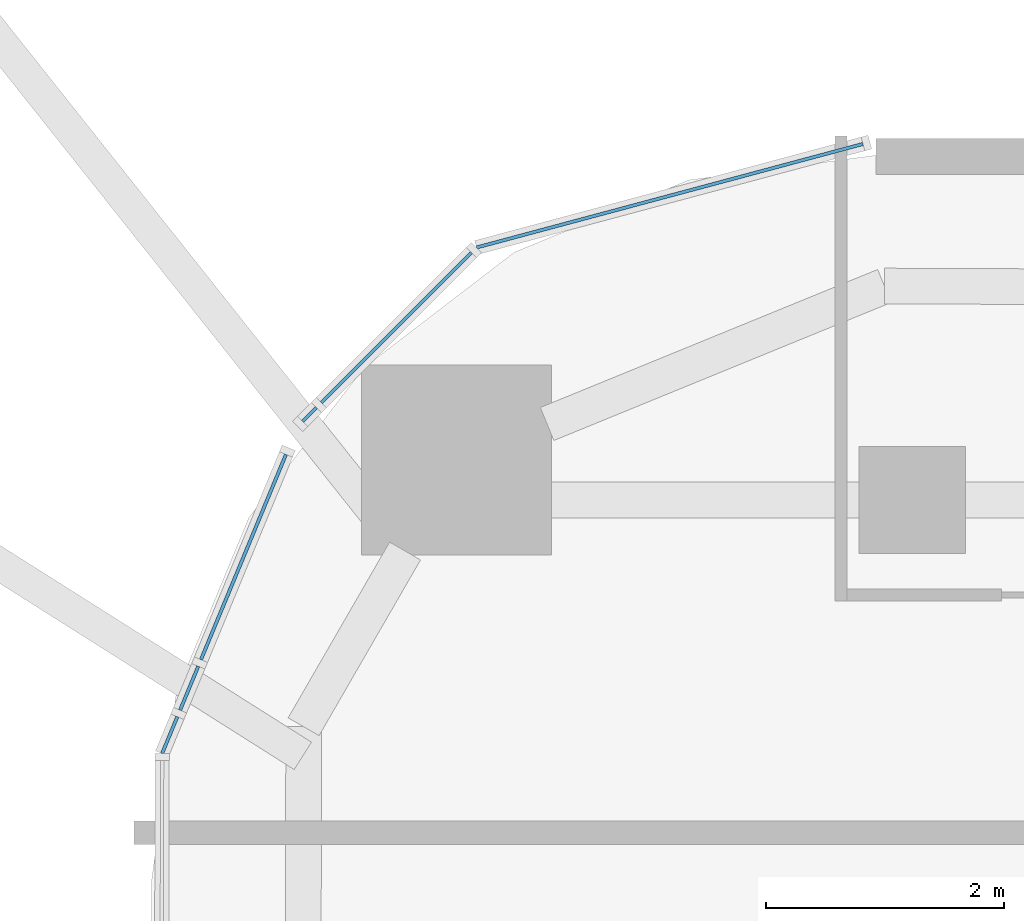
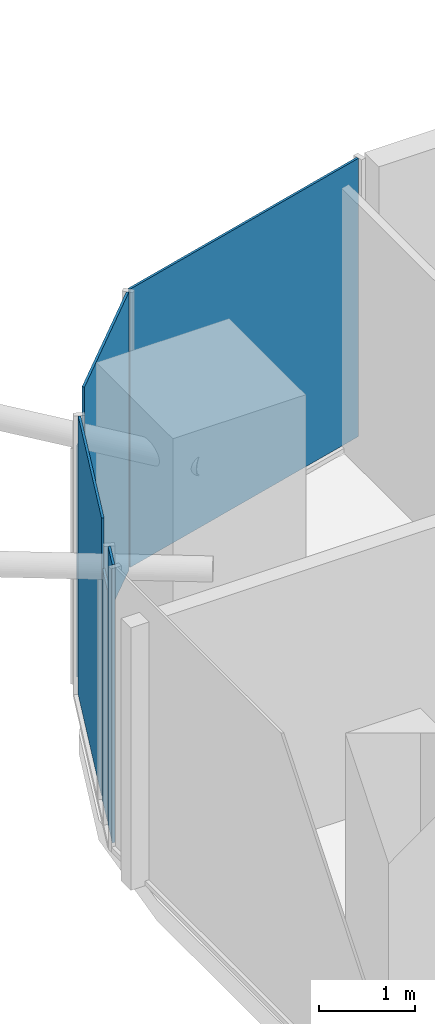
# One storey, part 25 of 36: 6 plates, 6 elements without a shape of their own.
"""IFC4 building model written with IfcOpenShell, lengths in metres."""

from ifc_helpers import new_model, si_unit, direction, frame, origin, origin_2d, place, context, subcontext, project, spatial, rectangle, extrude, material, layer, layer_set, type_object, element, aggregate, save


model = new_model("IFC4")

# Units and contexts
model_context = context("Model", 3, precision=1e-05, world=origin(), true_north=direction((0.0, 1.0)))
body_context = subcontext(model_context, "Body", "Model", "MODEL_VIEW")
ifc_project = project(units=[si_unit("LENGTHUNIT", "METRE"), si_unit("AREAUNIT", "SQUARE_METRE"), si_unit("VOLUMEUNIT", "CUBIC_METRE"), si_unit("PLANEANGLEUNIT", "RADIAN"), si_unit("MASSUNIT", "GRAM", prefix="KILO")], contexts=[model_context])

# Site, building, storey
site_placement = place(None, origin())
site = spatial("IfcSite", under=ifc_project, at=site_placement, CompositionType="ELEMENT")
building_placement = place(site_placement, origin())
building = spatial("IfcBuilding", under=site, at=building_placement, Name="Marenta Gate Hotel Tower", CompositionType="ELEMENT")
storey_placement = place(building_placement, frame((0.0, 0.0, 115.699951171875)))
storey = spatial("IfcBuildingStorey", under=building, at=storey_placement, Name="L25", CompositionType="ELEMENT", Elevation=115.699951171875)

# Curtain wall, plate
ifc_material_1 = material(Name="Tinted insulated glass in bronze anodised frame", Category="glass")
ifc_layer_1 = layer(ifc_material_1, 0.1201171875)
ifc_layer_set_1 = layer_set([ifc_layer_1], Name="Tinted insulated glass in bronze anodised frame")
curtain_wall_type = type_object("IfcCurtainWallType", Name="Tower unitised curtain wall CW1", PredefinedType="NOTDEFINED", material=ifc_layer_set_1)
curtain_wall_1_placement = place(storey_placement, origin())
curtain_wall_1 = element("IfcCurtainWall", 1, at=curtain_wall_1_placement, inside=storey, type_object=curtain_wall_type, Name="CW1 run G00", PredefinedType="NOTDEFINED")
ifc_material_2 = material(Name="Tinted insulated glass", Category="glass")
ifc_layer_2 = layer(ifc_material_2, 0.028076171875)
ifc_layer_set_2 = layer_set([ifc_layer_2], Name="Tinted insulated glass")
plate_type = type_object("IfcPlateType", Name="Glass panel CW1 28 mm tinted insulated unit", PredefinedType="CURTAIN_PANEL", material=ifc_layer_set_2)
plate_1_placement = place(storey_placement, frame((-23.04052734375, 27.759765625, 0.06005859375), z_axis=(0.0, 0.0, 1.0), x_axis=(-0.96593059835, -0.258801234873, 0.0)))
plate_1 = element("IfcPlate", 2, at=plate_1_placement, type_object=plate_type, Name="CW1 panel 1.1", PredefinedType="CURTAIN_PANEL", context=body_context, shape_type="SweptSolid", body=[
    extrude(rectangle(XDim=3.366943359375, YDim=0.028076171875, at=origin_2d()), origin(), (0.0, 0.0, 1.0), 3.5400390625),
])
aggregate(curtain_wall_1, [plate_1])

curtain_wall_2_placement = place(storey_placement, origin())
curtain_wall_2 = element("IfcCurtainWall", 3, at=curtain_wall_2_placement, inside=storey, type_object=curtain_wall_type, Name="CW1 run G01", PredefinedType="NOTDEFINED")
plate_2_placement = place(storey_placement, frame((-25.340087890625, 26.650634765625, 0.06005859375), z_axis=(0.0, 0.0, 1.0), x_axis=(-0.707106781187, -0.707106781187, 0.0)))
plate_2 = element("IfcPlate", 4, at=plate_2_placement, type_object=plate_type, Name="CW1 panel 1.1", PredefinedType="CURTAIN_PANEL", context=body_context, shape_type="SweptSolid", body=[
    extrude(rectangle(XDim=1.784912109375, YDim=0.028076171875, at=origin_2d()), origin(), (0.0, 0.0, 1.0), 3.5400390625),
])
aggregate(curtain_wall_2, [plate_2])

curtain_wall_3_placement = place(storey_placement, origin())
curtain_wall_3 = element("IfcCurtainWall", 5, at=curtain_wall_3_placement, inside=storey, type_object=curtain_wall_type, Name="CW1 run G02", PredefinedType="NOTDEFINED")
plate_3_placement = place(storey_placement, frame((-26.07177734375, 25.9189453125, 0.06005859375), z_axis=(0.0, 0.0, 1.0), x_axis=(-0.707106781187, -0.707106781187, 0.0)))
plate_3 = element("IfcPlate", 6, at=plate_3_placement, type_object=plate_type, Name="CW1 panel 1.1", PredefinedType="CURTAIN_PANEL", context=body_context, shape_type="SweptSolid", body=[
    extrude(rectangle(XDim=0.164306640625, YDim=0.028076171875, at=origin_2d()), origin(), (0.0, 0.0, 1.0), 2.9404296875),
])
aggregate(curtain_wall_3, [plate_3])

curtain_wall_4_placement = place(storey_placement, origin())
curtain_wall_4 = element("IfcCurtainWall", 7, at=curtain_wall_4_placement, inside=storey, type_object=curtain_wall_type, Name="CW1 run G03", PredefinedType="NOTDEFINED")
plate_4_placement = place(storey_placement, frame((-26.627685546875, 24.71923828125, 0.06005859375), z_axis=(0.0, 0.0, 1.0), x_axis=(-0.382693564371, -0.923875335632, 0.0)))
plate_4 = element("IfcPlate", 8, at=plate_4_placement, type_object=plate_type, Name="CW1 panel 1.1", PredefinedType="CURTAIN_PANEL", context=body_context, shape_type="SweptSolid", body=[
    extrude(rectangle(XDim=1.869384765625, YDim=0.028076171875, at=origin_2d()), origin(), (0.0, 0.0, 1.0), 3.5400390625),
])
aggregate(curtain_wall_4, [plate_4])

curtain_wall_5_placement = place(storey_placement, origin())
curtain_wall_5 = element("IfcCurtainWall", 9, at=curtain_wall_5_placement, inside=storey, type_object=curtain_wall_type, Name="CW1 run G04", PredefinedType="NOTDEFINED")
plate_5_placement = place(storey_placement, frame((-27.084716796875, 23.615478515625, 0.06005859375), z_axis=(0.0, 0.0, 1.0), x_axis=(-0.382838458625, -0.923815303293, 0.0)))
plate_5 = element("IfcPlate", 10, at=plate_5_placement, type_object=plate_type, Name="CW1 panel 1.1", PredefinedType="CURTAIN_PANEL", context=body_context, shape_type="SweptSolid", body=[
    extrude(rectangle(XDim=0.399658203125, YDim=0.028076171875, at=origin_2d()), origin(), (0.0, 0.0, 1.0), 2.9404296875),
])
aggregate(curtain_wall_5, [plate_5])

curtain_wall_6_placement = place(storey_placement, origin())
curtain_wall_6 = element("IfcCurtainWall", 11, at=curtain_wall_6_placement, inside=storey, type_object=curtain_wall_type, Name="CW1 run G05", PredefinedType="NOTDEFINED")
plate_6_placement = place(storey_placement, frame((-27.248291015625, 23.220947265625, 0.06005859375), z_axis=(0.0, 0.0, 1.0), x_axis=(-0.382456188848, -0.923973627119, 0.0)))
plate_6 = element("IfcPlate", 12, at=plate_6_placement, type_object=plate_type, Name="CW1 panel 1.1", PredefinedType="CURTAIN_PANEL", context=body_context, shape_type="SweptSolid", body=[
    extrude(rectangle(XDim=0.334716796875, YDim=0.028076171875, at=origin_2d()), origin(), (0.0, 0.0, 1.0), 3.5400390625),
])
aggregate(curtain_wall_6, [plate_6])

save(model, "model.ifc")
